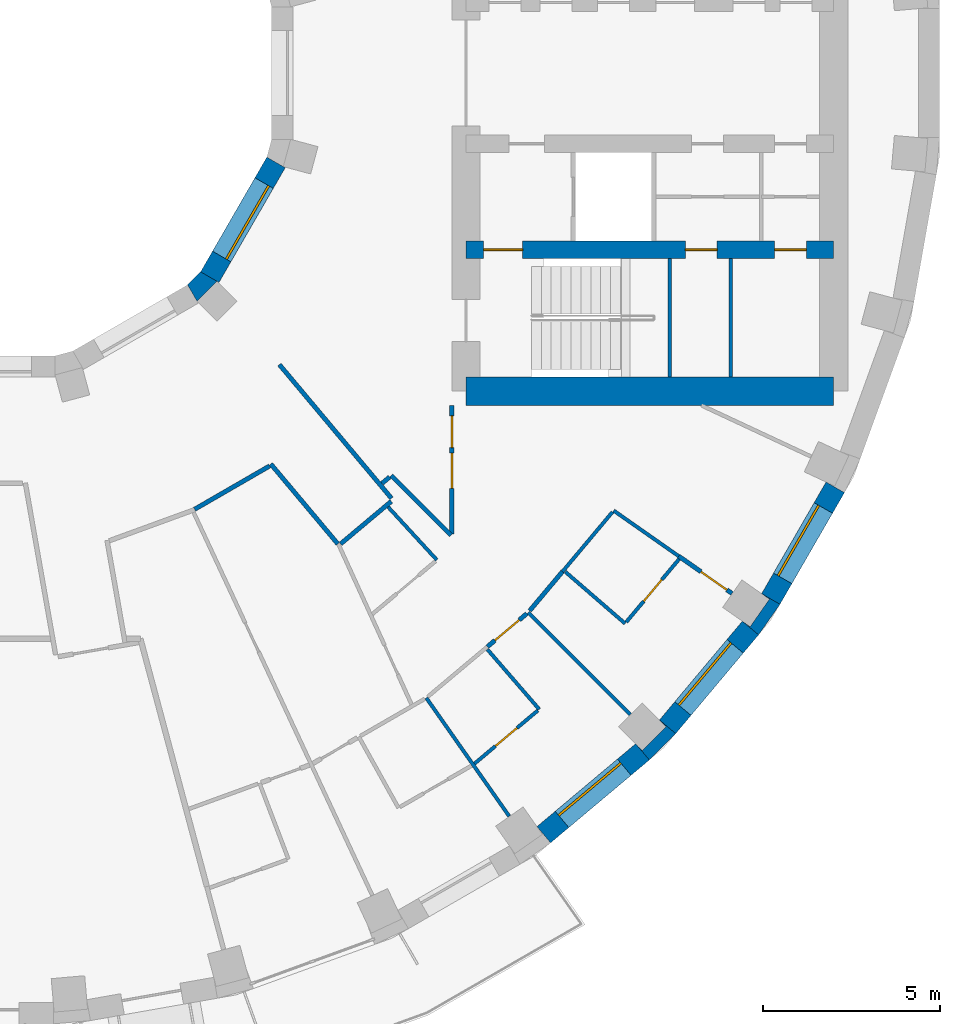
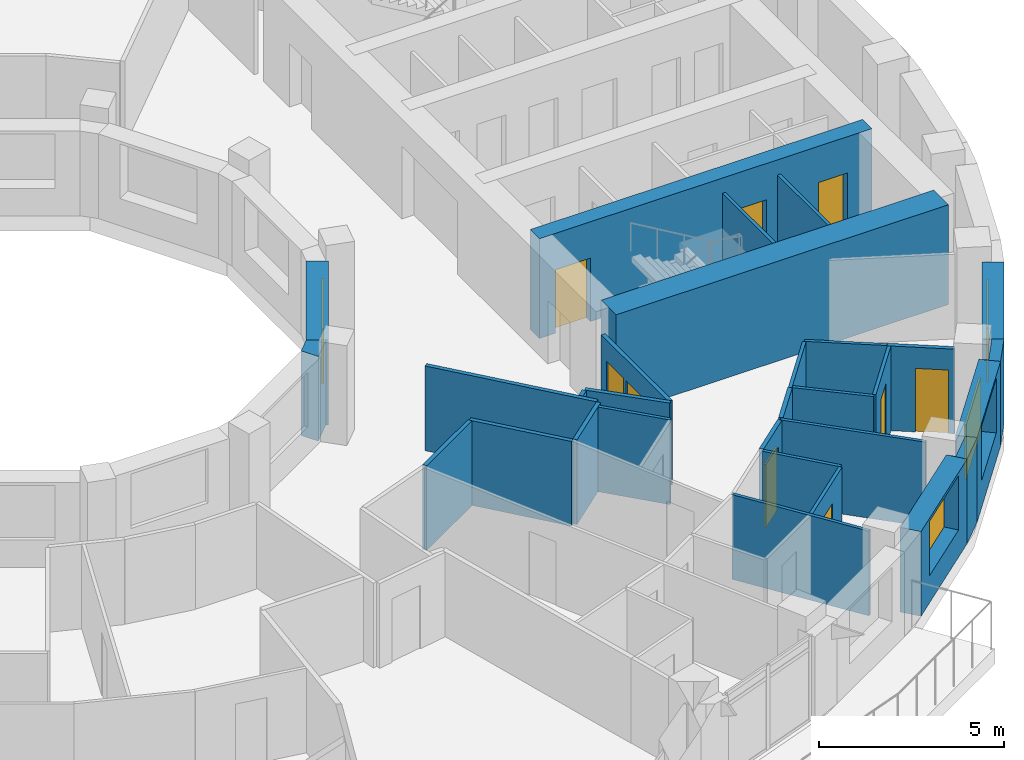
# One storey, part 9 of 16: 30 walls, 9 doors, 4 windows, 13 openings.
"""IFC4 building model written with IfcOpenShell, lengths in metres."""

from ifc_helpers import new_model, si_unit, direction, frame, frame_2d, origin, place, context, subcontext, project, spatial, polyline, rectangle, outline, extrude, material, layer, layer_set, type_object, element, fill, save


model = new_model("IFC4")

# Units and contexts
model_context = context("Model", 3, precision=1e-05, world=origin(), true_north=direction((0.0, 1.0)))
body_context = subcontext(model_context, "Body", "Model", "MODEL_VIEW")
ifc_project = project(units=[si_unit("LENGTHUNIT", "METRE"), si_unit("AREAUNIT", "SQUARE_METRE"), si_unit("VOLUMEUNIT", "CUBIC_METRE"), si_unit("PLANEANGLEUNIT", "RADIAN"), si_unit("MASSUNIT", "GRAM", prefix="KILO")], contexts=[model_context])

# Site, building, storey
site_placement = place(None, origin())
site = spatial("IfcSite", under=ifc_project, at=site_placement, CompositionType="ELEMENT")
building_placement = place(site_placement, origin())
building = spatial("IfcBuilding", under=site, at=building_placement, Name="Saqina Gate Tower", CompositionType="ELEMENT")
storey_placement = place(building_placement, frame((0.0, 0.0, 141.39990234375)))
storey = spatial("IfcBuildingStorey", under=building, at=storey_placement, Name="L40", CompositionType="ELEMENT", Elevation=141.39990234375)

# Walls
ifc_material_1 = material(Name="Brick masonry (buff)", Category="masonry")
wall_type_1 = type_object("IfcWallType", Name="BRICK PIER COPING BUFF", PredefinedType="SOLIDWALL", material=ifc_material_1)
wall_1_placement = place(storey_placement, origin())
element("IfcWall", 1, at=wall_1_placement, inside=storey, type_object=wall_type_1, Name="Pier cap L40 column 32", PredefinedType="SOLIDWALL", context=body_context, shape_type="SweptSolid", body=[
    extrude(outline(polyline([(18.686279296875, -19.43212890625), (19.43212890625, -18.686279296875), (18.972412109375, -18.30078125), (19.16259765625, -18.49072265625), (18.49072265625, -19.16259765625), (18.30078125, -18.972412109375), (18.686279296875, -19.43212890625)])), origin(), (0.0, 0.0, 1.0), 2.800048828125),
])
wall_2_placement = place(storey_placement, origin())
element("IfcWall", 2, at=wall_2_placement, inside=storey, type_object=wall_type_1, Name="Pier cap L40 column 33", PredefinedType="SOLIDWALL", context=body_context, shape_type="SweptSolid", body=[
    extrude(outline(polyline([(22.3818359375, -15.0283203125), (21.862060546875, -14.728271484375), (22.08251953125, -14.88232421875), (21.53759765625, -15.66064453125), (21.317138671875, -15.50634765625), (21.77685546875, -15.89208984375), (22.3818359375, -15.0283203125)])), origin(), (0.0, 0.0, 1.0), 2.800048828125),
])
ifc_material_2 = material(Name="Gypsum board on steel studs", Category="steel")
ifc_layer_1 = layer(ifc_material_2, 0.10009765625)
ifc_layer_set_1 = layer_set([ifc_layer_1], Name="CORE PARTITION")
wall_type_2 = type_object("IfcWallType", Name="CORE PARTITION", PredefinedType="PARTITIONING", material=ifc_layer_set_1)
wall_3_placement = place(storey_placement, frame((20.991943359375, -8.60009765625, 0.0), z_axis=(0.0, 0.0, 1.0), x_axis=(0.0, 1.0, 0.0)))
element("IfcWall", 3, at=wall_3_placement, inside=storey, type_object=wall_type_2, Name="L40-CP-E16", PredefinedType="PARTITIONING", context=body_context, shape_type="SweptSolid", body=[
    extrude(rectangle(XDim=3.35009765625, YDim=0.10009765625, at=frame_2d((1.675048828125, 0.0))), origin(), (0.0, 0.0, 1.0), 2.800048828125),
])

# Wall, opening, window
ifc_material_3 = material(Name="Brick masonry (buff)", Category="masonry")
ifc_layer_2 = layer(ifc_material_3, 0.60009765625)
ifc_layer_set_2 = layer_set([ifc_layer_2], Name="FW-BRICK-BUFF")
wall_type_3 = type_object("IfcWallType", Name="FW-BRICK-BUFF", PredefinedType="SOLIDWALL", material=ifc_layer_set_2)
wall_4_placement = place(storey_placement, frame((15.69921875, -21.547119140625, 0.0), z_axis=(0.0, 0.0, 1.0), x_axis=(0.766055462616, 0.642774476932, 0.0)))
wall_4 = element("IfcWall", 4, at=wall_4_placement, inside=storey, type_object=wall_type_3, Name="Facade wall L40 facet 31", PredefinedType="SOLIDWALL", context=body_context, shape_type="SweptSolid", body=[
    extrude(rectangle(XDim=3.647705078125, YDim=0.60009765625, at=frame_2d((1.82373046875, 0.0))), origin(), (0.0, 0.0, 1.0), 2.800048828125),
])
opening_1_placement = place(wall_4_placement, frame((0.673828125, 0.0, 0.89990234375)))
opening_1 = element("IfcOpeningElement", 5, at=opening_1_placement, cuts=wall_4, Name="Opening G12-W20", PredefinedType="OPENING", context=body_context, shape_type="SweptSolid", body=[
    extrude(rectangle(XDim=2.300048828125, YDim=1.800048828125, at=frame_2d((1.14990234375, 0.89990234375))), frame((0.0, 0.31201171875, 0.0), z_axis=(0.0, -1.0, 0.0), x_axis=(1.0, 0.0, 0.0)), (0.0, 0.0, 1.0), 0.6240234375),
])
ifc_material_4 = material(Name="Aluminium glazing", Category="aluminium")
window_type_1 = type_object("IfcWindowType", Name="WN-B", PartitioningType="SINGLE_PANEL", PredefinedType="WINDOW", material=ifc_material_4)
window_1_placement = place(opening_1_placement, origin())
window_1 = element("IfcWindow", 6, at=window_1_placement, inside=storey, type_object=window_type_1, Name="Window L40 facet 31", OverallHeight=1.800048828125, OverallWidth=2.300048828125, PartitioningType="SINGLE_PANEL", PredefinedType="WINDOW", context=body_context, shape_type="SweptSolid", body=[
    extrude(rectangle(XDim=2.300048828125, YDim=1.800048828125, at=frame_2d((1.14990234375, 0.89990234375))), frame((0.0, 0.179931640625, 0.0), z_axis=(0.0, -1.0, 0.0), x_axis=(1.0, 0.0, 0.0)), (0.0, 0.0, 1.0), 0.06005859375),
])
fill(opening_1, window_1)

wall_5_placement = place(storey_placement, frame((19.202392578125, -18.49365234375, 0.0), z_axis=(0.0, 0.0, 1.0), x_axis=(0.642774476932, 0.766055462616, 0.0)))
wall_5 = element("IfcWall", 7, at=wall_5_placement, inside=storey, type_object=wall_type_3, Name="Facade wall L40 facet 32", PredefinedType="SOLIDWALL", context=body_context, shape_type="SweptSolid", body=[
    extrude(rectangle(XDim=3.647705078125, YDim=0.60009765625, at=frame_2d((1.82373046875, 0.0))), origin(), (0.0, 0.0, 1.0), 2.800048828125),
])
opening_2_placement = place(wall_5_placement, frame((0.673828125, 0.0, 0.89990234375)))
opening_2 = element("IfcOpeningElement", 8, at=opening_2_placement, cuts=wall_5, Name="Opening G12-W21", PredefinedType="OPENING", context=body_context, shape_type="SweptSolid", body=[
    extrude(rectangle(XDim=2.300048828125, YDim=1.800048828125, at=frame_2d((1.14990234375, 0.89990234375))), frame((0.0, 0.31201171875, 0.0), z_axis=(0.0, -1.0, 0.0), x_axis=(1.0, 0.0, 0.0)), (0.0, 0.0, 1.0), 0.6240234375),
])
window_2_placement = place(opening_2_placement, origin())
window_2 = element("IfcWindow", 9, at=window_2_placement, inside=storey, type_object=window_type_1, Name="Window L40 facet 32", OverallHeight=1.800048828125, OverallWidth=2.300048828125, PartitioningType="SINGLE_PANEL", PredefinedType="WINDOW", context=body_context, shape_type="SweptSolid", body=[
    extrude(rectangle(XDim=2.300048828125, YDim=1.800048828125, at=frame_2d((1.14990234375, 0.89990234375))), frame((0.0, 0.179931640625, 0.0), z_axis=(0.0, -1.0, 0.0), x_axis=(1.0, 0.0, 0.0)), (0.0, 0.0, 1.0), 0.06005859375),
])
fill(opening_2, window_2)

wall_6_placement = place(storey_placement, frame((22.1220703125, -14.878173828125, 0.0), z_axis=(0.0, 0.0, 1.0), x_axis=(0.499954196102, 0.866051847062, 0.0)))
wall_6 = element("IfcWall", 10, at=wall_6_placement, inside=storey, type_object=wall_type_3, Name="Facade wall L40 facet 33", PredefinedType="SOLIDWALL", context=body_context, shape_type="SweptSolid", body=[
    extrude(rectangle(XDim=3.647705078125, YDim=0.60009765625, at=frame_2d((1.82373046875, 0.0))), origin(), (0.0, 0.0, 1.0), 2.800048828125),
])
opening_3_placement = place(wall_6_placement, frame((0.673828125, 0.0, 0.89990234375)))
opening_3 = element("IfcOpeningElement", 11, at=opening_3_placement, cuts=wall_6, Name="Opening G12-W22", PredefinedType="OPENING", context=body_context, shape_type="SweptSolid", body=[
    extrude(rectangle(XDim=2.300048828125, YDim=1.800048828125, at=frame_2d((1.14990234375, 0.89990234375))), frame((0.0, 0.31201171875, 0.0), z_axis=(0.0, -1.0, 0.0), x_axis=(1.0, 0.0, 0.0)), (0.0, 0.0, 1.0), 0.6240234375),
])
window_3_placement = place(opening_3_placement, origin())
window_3 = element("IfcWindow", 12, at=window_3_placement, inside=storey, type_object=window_type_1, Name="Window L40 facet 33", OverallHeight=1.800048828125, OverallWidth=2.300048828125, PartitioningType="SINGLE_PANEL", PredefinedType="WINDOW", context=body_context, shape_type="SweptSolid", body=[
    extrude(rectangle(XDim=2.300048828125, YDim=1.800048828125, at=frame_2d((1.14990234375, 0.89990234375))), frame((0.0, 0.179931640625, 0.0), z_axis=(0.0, -1.0, 0.0), x_axis=(1.0, 0.0, 0.0)), (0.0, 0.0, 1.0), 0.06005859375),
])
fill(opening_3, window_3)

ifc_material_5 = material(Name="Glazed ceramic tile", Category="ceramic")
ifc_layer_3 = layer(ifc_material_5, 0.60009765625)
ifc_layer_set_3 = layer_set([ifc_layer_3], Name="IW-TILE")
wall_type_4 = type_object("IfcWallType", Name="IW-TILE", PredefinedType="SOLIDWALL", material=ifc_layer_set_3)
wall_7_placement = place(storey_placement, frame((6.251220703125, -5.772705078125, 0.0), z_axis=(0.0, 0.0, 1.0), x_axis=(0.499964958637, 0.86604563398, 0.0)))
wall_7 = element("IfcWall", 13, at=wall_7_placement, inside=storey, type_object=wall_type_4, Name="Well wall L40 facet 11", PredefinedType="SOLIDWALL", context=body_context, shape_type="SweptSolid", body=[
    extrude(rectangle(XDim=3.747314453125, YDim=0.60009765625, at=frame_2d((1.87353515625, 0.0))), origin(), (0.0, 0.0, 1.0), 2.800048828125),
])
opening_4_placement = place(wall_7_placement, frame((0.673583984375, 0.0, 0.89990234375)))
opening_4 = element("IfcOpeningElement", 14, at=opening_4_placement, cuts=wall_7, Name="Opening G12-W33", PredefinedType="OPENING", context=body_context, shape_type="SweptSolid", body=[
    extrude(rectangle(XDim=2.39990234375, YDim=1.800048828125, at=frame_2d((1.199951171875, 0.89990234375))), frame((0.0, 0.31201171875, 0.0), z_axis=(0.0, -1.0, 0.0), x_axis=(1.0, 0.0, 0.0)), (0.0, 0.0, 1.0), 0.6240234375),
])
ifc_material_6 = material(Name="Aluminium glazing", Category="aluminium")
window_type_2 = type_object("IfcWindowType", Name="WN-W", PartitioningType="SINGLE_PANEL", PredefinedType="WINDOW", material=ifc_material_6)
window_4_placement = place(opening_4_placement, origin())
window_4 = element("IfcWindow", 15, at=window_4_placement, inside=storey, type_object=window_type_2, Name="Well window L40 facet 11", OverallHeight=1.800048828125, OverallWidth=2.39990234375, PartitioningType="SINGLE_PANEL", PredefinedType="WINDOW", context=body_context, shape_type="SweptSolid", body=[
    extrude(rectangle(XDim=2.39990234375, YDim=1.800048828125, at=frame_2d((1.199951171875, 0.89990234375))), frame((0.0, -0.119873046875, 0.0), z_axis=(0.0, -1.0, 0.0), x_axis=(1.0, 0.0, 0.0)), (0.0, 0.0, 1.0), 0.06005859375),
])
fill(opening_4, window_4)

# Walls
ifc_material_7 = material(Name="Gypsum board on steel studs, 100 mm", Category="steel")
ifc_layer_4 = layer(ifc_material_7, 0.10009765625)
ifc_layer_set_4 = layer_set([ifc_layer_4], Name="PARTITION 100")
wall_type_5 = type_object("IfcWallType", Name="PARTITION 100", PredefinedType="PARTITIONING", material=ifc_layer_set_4)
wall_8_placement = place(storey_placement, frame((12.376953125, -17.677001953125, 0.0), z_axis=(0.0, 0.0, 1.0), x_axis=(0.573843281236, -0.818965132702, 0.0)))
element("IfcWall", 16, at=wall_8_placement, inside=storey, type_object=wall_type_5, Name="PARTITION PW3-13", PredefinedType="PARTITIONING", context=body_context, shape_type="SweptSolid", body=[
    extrude(rectangle(XDim=4.085693359375, YDim=0.10009765625, at=frame_2d((2.04296875, 0.0))), origin(), (0.0, 0.0, 1.0), 2.800048828125),
])
wall_9_placement = place(storey_placement, frame((14.10693359375, -16.307373046875, 0.0), z_axis=(0.0, 0.0, 1.0), x_axis=(0.654423540777, -0.756128183099, 0.0)))
element("IfcWall", 17, at=wall_9_placement, inside=storey, type_object=wall_type_5, Name="PARTITION PW3-20", PredefinedType="PARTITIONING", context=body_context, shape_type="SweptSolid", body=[
    extrude(rectangle(XDim=2.2373046875, YDim=0.10009765625, at=frame_2d((1.11865234375, 0.0))), origin(), (0.0, 0.0, 1.0), 2.800048828125),
])
wall_10_placement = place(storey_placement, frame((11.29541015625, -12.27392578125, 0.0), z_axis=(0.0, 0.0, 1.0), x_axis=(0.676981317167, -0.736000201228, 0.0)))
element("IfcWall", 18, at=wall_10_placement, inside=storey, type_object=wall_type_5, Name="PARTITION PW3-22", PredefinedType="PARTITIONING", context=body_context, shape_type="SweptSolid", body=[
    extrude(rectangle(XDim=2.039306640625, YDim=0.10009765625, at=frame_2d((1.01953125, 0.0))), origin(), (0.0, 0.0, 1.0), 2.800048828125),
])
wall_11_placement = place(storey_placement, frame((15.259033203125, -15.259033203125, 0.0), z_axis=(0.0, 0.0, 1.0), x_axis=(0.707106781187, -0.707106781187, 0.0)))
element("IfcWall", 19, at=wall_11_placement, inside=storey, type_object=wall_type_5, Name="PARTITION PW3-24", PredefinedType="PARTITIONING", context=body_context, shape_type="SweptSolid", body=[
    extrude(rectangle(XDim=4.08544921875, YDim=0.10009765625, at=frame_2d((2.042724609375, 0.0))), origin(), (0.0, 0.0, 1.0), 2.800048828125),
])
wall_12_placement = place(storey_placement, frame((16.307373046875, -14.10693359375, 0.0), z_axis=(0.0, 0.0, 1.0), x_axis=(0.756128183099, -0.654423540777, 0.0)))
element("IfcWall", 20, at=wall_12_placement, inside=storey, type_object=wall_type_5, Name="PARTITION PW3-25", PredefinedType="PARTITIONING", context=body_context, shape_type="SweptSolid", body=[
    extrude(rectangle(XDim=2.2373046875, YDim=0.10009765625, at=frame_2d((1.11865234375, 0.0))), origin(), (0.0, 0.0, 1.0), 2.800048828125),
])
wall_13_placement = place(storey_placement, frame((17.677001953125, -12.377197265625, 0.0), z_axis=(0.0, 0.0, 1.0), x_axis=(0.81912468453, -0.573615508153, 0.0)))
element("IfcWall", 21, at=wall_13_placement, inside=storey, type_object=wall_type_5, Name="PARTITION PW3-34", PredefinedType="PARTITIONING", context=body_context, shape_type="SweptSolid", body=[
    extrude(rectangle(XDim=2.246337890625, YDim=0.10009765625, at=frame_2d((1.123046875, 0.0))), origin(), (0.0, 0.0, 1.0), 2.800048828125),
])

# Wall, opening, door
wall_14_placement = place(storey_placement, frame((13.740234375, -19.535888671875, 0.0), z_axis=(0.0, 0.0, 1.0), x_axis=(0.765924716163, 0.642930267735, 0.0)))
wall_14 = element("IfcWall", 22, at=wall_14_placement, inside=storey, type_object=wall_type_5, Name="PARTITION PW3-80", PredefinedType="PARTITIONING", context=body_context, shape_type="SweptSolid", body=[
    extrude(rectangle(XDim=2.34033203125, YDim=0.10009765625, at=frame_2d((1.170166015625, 0.0))), origin(), (0.0, 0.0, 1.0), 2.800048828125),
])
opening_5_placement = place(wall_14_placement, frame((0.77001953125, 0.0, 0.0)))
opening_5 = element("IfcOpeningElement", 23, at=opening_5_placement, cuts=wall_14, Name="Opening G12-D55", PredefinedType="OPENING", context=body_context, shape_type="SweptSolid", body=[
    extrude(rectangle(XDim=0.800048828125, YDim=2.10009765625, at=frame_2d((0.39990234375, 1.050048828125))), frame((0.0, 0.06201171875, 0.0), z_axis=(0.0, -1.0, 0.0), x_axis=(1.0, 0.0, 0.0)), (0.0, 0.0, 1.0), 0.1240234375),
])
ifc_material_8 = material(Name="Timber door leaf, 800 mm", Category="wood")
door_type_1 = type_object("IfcDoorType", Name="DOOR 800 TIMBER", OperationType="SINGLE_SWING_LEFT", PredefinedType="DOOR", material=ifc_material_8)
door_1_placement = place(opening_5_placement, frame((0.800048828125, 0.0, 0.0), z_axis=(0.0, 0.0, 1.0), x_axis=(-1.0, 0.0, 0.0)))
door_1 = element("IfcDoor", 24, at=door_1_placement, inside=storey, type_object=door_type_1, Name="DOOR G12-D55", OperationType="SINGLE_SWING_RIGHT", OverallHeight=2.10009765625, OverallWidth=0.800048828125, PredefinedType="DOOR", context=body_context, shape_type="SweptSolid", body=[
    extrude(rectangle(XDim=0.800048828125, YDim=2.10009765625, at=frame_2d((0.39990234375, 1.050048828125))), frame((0.0, 0.02490234375, 0.0), z_axis=(0.0, -1.0, 0.0), x_axis=(1.0, 0.0, 0.0)), (0.0, 0.0, 1.0), 0.050048828125),
])
fill(opening_5, door_1)

wall_15_placement = place(storey_placement, frame((18.03125, -15.53271484375, 0.0), z_axis=(0.0, 0.0, 1.0), x_axis=(0.64291410234, 0.765938285381, 0.0)))
wall_15 = element("IfcWall", 25, at=wall_15_placement, inside=storey, type_object=wall_type_5, Name="PARTITION PW3-90", PredefinedType="PARTITIONING", context=body_context, shape_type="SweptSolid", body=[
    extrude(rectangle(XDim=2.327880859375, YDim=0.10009765625, at=frame_2d((1.1640625, 0.0))), origin(), (0.0, 0.0, 1.0), 2.800048828125),
])
opening_6_placement = place(wall_15_placement, frame((0.77001953125, 0.0, 0.0)))
opening_6 = element("IfcOpeningElement", 26, at=opening_6_placement, cuts=wall_15, Name="Opening G12-D59", PredefinedType="OPENING", context=body_context, shape_type="SweptSolid", body=[
    extrude(rectangle(XDim=0.800048828125, YDim=2.10009765625, at=frame_2d((0.39990234375, 1.050048828125))), frame((0.0, 0.06201171875, 0.0), z_axis=(0.0, -1.0, 0.0), x_axis=(1.0, 0.0, 0.0)), (0.0, 0.0, 1.0), 0.1240234375),
])
door_2_placement = place(opening_6_placement, frame((0.800048828125, 0.0, 0.0), z_axis=(0.0, 0.0, 1.0), x_axis=(-1.0, 0.0, 0.0)))
door_2 = element("IfcDoor", 27, at=door_2_placement, inside=storey, type_object=door_type_1, Name="DOOR G12-D59", OperationType="SINGLE_SWING_LEFT", OverallHeight=2.10009765625, OverallWidth=0.800048828125, PredefinedType="DOOR", context=body_context, shape_type="SweptSolid", body=[
    extrude(rectangle(XDim=0.800048828125, YDim=2.10009765625, at=frame_2d((0.39990234375, 1.050048828125))), frame((0.0, 0.02490234375, 0.0), z_axis=(0.0, -1.0, 0.0), x_axis=(1.0, 0.0, 0.0)), (0.0, 0.0, 1.0), 0.050048828125),
])
fill(opening_6, door_2)

# Walls
wall_16_placement = place(storey_placement, frame((16.22802734375, -14.1044921875, 0.0), z_axis=(0.0, 0.0, 1.0), x_axis=(0.642710935311, 0.766108774021, 0.0)))
element("IfcWall", 28, at=wall_16_placement, inside=storey, type_object=wall_type_5, Name="PARTITION PW3-91", PredefinedType="PARTITIONING", context=body_context, shape_type="SweptSolid", body=[
    extrude(rectangle(XDim=2.2021484375, YDim=0.10009765625, at=frame_2d((1.10107421875, 0.0))), origin(), (0.0, 0.0, 1.0), 2.800048828125),
])
ifc_material_9 = material(Name="Gypsum board on steel studs, 125 mm, fire rated", Category="steel")
ifc_layer_5 = layer(ifc_material_9, 0.125)
ifc_layer_set_5 = layer_set([ifc_layer_5], Name="PARTITION EI 30 125")
wall_type_6 = type_object("IfcWallType", Name="PARTITION EI 30 125", PredefinedType="PARTITIONING", material=ifc_layer_set_5)
wall_17_placement = place(storey_placement, frame((7.97705078125, -11.05908203125, 0.0), z_axis=(0.0, 0.0, 1.0), x_axis=(0.642679638204, -0.766135028985, 0.0)))
element("IfcWall", 29, at=wall_17_placement, inside=storey, type_object=wall_type_6, Name="PARTITION PW1-06", PredefinedType="PARTITIONING", context=body_context, shape_type="SweptSolid", body=[
    extrude(rectangle(XDim=2.950439453125, YDim=0.125, at=frame_2d((1.47509765625, 0.0))), origin(), (0.0, 0.0, 1.0), 2.800048828125),
])
wall_18_placement = place(storey_placement, frame((8.2197265625, -8.246826171875, 0.0), z_axis=(0.0, 0.0, 1.0), x_axis=(0.642555132876, -0.766239454228, 0.0)))
element("IfcWall", 30, at=wall_18_placement, inside=storey, type_object=wall_type_6, Name="PARTITION PW1-08", PredefinedType="PARTITIONING", context=body_context, shape_type="SweptSolid", body=[
    extrude(rectangle(XDim=4.936767578125, YDim=0.125, at=frame_2d((2.46826171875, 0.0))), origin(), (0.0, 0.0, 1.0), 2.800048828125),
])
wall_19_placement = place(storey_placement, frame((11.387939453125, -11.385009765625, 0.0), z_axis=(0.0, 0.0, 1.0), x_axis=(0.707157874563, -0.707055684118, 0.0)))
element("IfcWall", 31, at=wall_19_placement, inside=storey, type_object=wall_type_6, Name="PARTITION PW1-10", PredefinedType="PARTITIONING", context=body_context, shape_type="SweptSolid", body=[
    extrude(rectangle(XDim=2.38916015625, YDim=0.125, at=frame_2d((1.194580078125, 0.0))), origin(), (0.0, 0.0, 1.0), 2.800048828125),
])

# Wall, opening, door
wall_20_placement = place(storey_placement, frame((19.516845703125, -13.666259765625, 0.0), z_axis=(0.0, 0.0, 1.0), x_axis=(0.819319221636, -0.573337608271, 0.0)))
wall_20 = element("IfcWall", 32, at=wall_20_placement, inside=storey, type_object=wall_type_6, Name="PARTITION PW1-15", PredefinedType="PARTITIONING", context=body_context, shape_type="SweptSolid", body=[
    extrude(rectangle(XDim=1.839111328125, YDim=0.125, at=frame_2d((0.91943359375, 0.0))), origin(), (0.0, 0.0, 1.0), 2.800048828125),
])
opening_7_placement = place(wall_20_placement, frame((0.767333984375, 0.0, 0.0)))
opening_7 = element("IfcOpeningElement", 33, at=opening_7_placement, cuts=wall_20, Name="Opening G12-D61", PredefinedType="OPENING", context=body_context, shape_type="SweptSolid", body=[
    extrude(rectangle(XDim=0.89990234375, YDim=2.10009765625, at=frame_2d((0.449951171875, 1.050048828125))), frame((0.0, 0.074462890625, 0.0), z_axis=(0.0, -1.0, 0.0), x_axis=(1.0, 0.0, 0.0)), (0.0, 0.0, 1.0), 0.14892578125),
])
ifc_material_10 = material(Name="Fire door leaf EI 30, 900 mm")
door_type_2 = type_object("IfcDoorType", Name="DOOR 900 EI 30", OperationType="SINGLE_SWING_LEFT", PredefinedType="DOOR", material=ifc_material_10)
door_3_placement = place(opening_7_placement, origin())
door_3 = element("IfcDoor", 34, at=door_3_placement, inside=storey, type_object=door_type_2, Name="DOOR G12-D61", OperationType="SINGLE_SWING_RIGHT", OverallHeight=2.10009765625, OverallWidth=0.89990234375, PredefinedType="DOOR", context=body_context, shape_type="SweptSolid", body=[
    extrude(rectangle(XDim=0.89990234375, YDim=2.10009765625, at=frame_2d((0.449951171875, 1.050048828125))), frame((0.0, 0.02490234375, 0.0), z_axis=(0.0, -1.0, 0.0), x_axis=(1.0, 0.0, 0.0)), (0.0, 0.0, 1.0), 0.050048828125),
])
fill(opening_7, door_3)

# Walls
wall_21_placement = place(storey_placement, frame((5.822021484375, -12.33984375, 0.0), z_axis=(0.0, 0.0, 1.0), x_axis=(0.865951440693, 0.500128085955, 0.0)))
element("IfcWall", 35, at=wall_21_placement, inside=storey, type_object=wall_type_6, Name="PARTITION PW1-39", PredefinedType="PARTITIONING", context=body_context, shape_type="SweptSolid", body=[
    extrude(rectangle(XDim=2.448486328125, YDim=0.125, at=frame_2d((1.22412109375, 0.0))), origin(), (0.0, 0.0, 1.0), 2.800048828125),
])
wall_22_placement = place(storey_placement, frame((11.125, -11.606201171875, 0.0), z_axis=(0.0, 0.0, 1.0), x_axis=(0.766857755144, 0.641817094955, 0.0)))
element("IfcWall", 36, at=wall_22_placement, inside=storey, type_object=wall_type_6, Name="PARTITION PW1-43", PredefinedType="PARTITIONING", context=body_context, shape_type="SweptSolid", body=[
    extrude(rectangle(XDim=0.279296875, YDim=0.125, at=frame_2d((0.1396484375, 0.0))), origin(), (0.0, 0.0, 1.0), 2.800048828125),
])

# Wall, opening, door
wall_23_placement = place(storey_placement, frame((14.104248046875, -16.227783203125, 0.0), z_axis=(0.0, 0.0, 1.0), x_axis=(0.766114305984, 0.642704341177, 0.0)))
wall_23 = element("IfcWall", 37, at=wall_23_placement, inside=storey, type_object=wall_type_6, Name="PARTITION PW1-44", PredefinedType="PARTITIONING", context=body_context, shape_type="SweptSolid", body=[
    extrude(rectangle(XDim=1.4560546875, YDim=0.125, at=frame_2d((0.72802734375, 0.0))), origin(), (0.0, 0.0, 1.0), 2.800048828125),
])
opening_8_placement = place(wall_23_placement, frame((0.278076171875, 0.0, 0.0)))
opening_8 = element("IfcOpeningElement", 38, at=opening_8_placement, cuts=wall_23, Name="Opening G12-D57", PredefinedType="OPENING", context=body_context, shape_type="SweptSolid", body=[
    extrude(rectangle(XDim=0.89990234375, YDim=2.10009765625, at=frame_2d((0.449951171875, 1.050048828125))), frame((0.0, 0.074462890625, 0.0), z_axis=(0.0, -1.0, 0.0), x_axis=(1.0, 0.0, 0.0)), (0.0, 0.0, 1.0), 0.14892578125),
])
door_4_placement = place(opening_8_placement, origin())
door_4 = element("IfcDoor", 39, at=door_4_placement, inside=storey, type_object=door_type_2, Name="DOOR G12-D57", OperationType="SINGLE_SWING_RIGHT", OverallHeight=2.10009765625, OverallWidth=0.89990234375, PredefinedType="DOOR", context=body_context, shape_type="SweptSolid", body=[
    extrude(rectangle(XDim=0.89990234375, YDim=2.10009765625, at=frame_2d((0.449951171875, 1.050048828125))), frame((0.0, 0.02490234375, 0.0), z_axis=(0.0, -1.0, 0.0), x_axis=(1.0, 0.0, 0.0)), (0.0, 0.0, 1.0), 0.050048828125),
])
fill(opening_8, door_4)

# Walls
wall_24_placement = place(storey_placement, frame((9.95361328125, -13.3173828125, 0.0), z_axis=(0.0, 0.0, 1.0), x_axis=(0.766162509907, 0.642646876919, 0.0)))
element("IfcWall", 40, at=wall_24_placement, inside=storey, type_object=wall_type_6, Name="PARTITION PW1-45", PredefinedType="PARTITIONING", context=body_context, shape_type="SweptSolid", body=[
    extrude(rectangle(XDim=1.869873046875, YDim=0.125, at=frame_2d((0.93505859375, 0.0))), origin(), (0.0, 0.0, 1.0), 2.800048828125),
])
wall_25_placement = place(storey_placement, frame((15.300048828125, -15.210205078125, 0.0), z_axis=(0.0, 0.0, 1.0), x_axis=(0.642676314535, 0.766137817064, 0.0)))
element("IfcWall", 41, at=wall_25_placement, inside=storey, type_object=wall_type_6, Name="PARTITION PW1-51", PredefinedType="PARTITIONING", context=body_context, shape_type="SweptSolid", body=[
    extrude(rectangle(XDim=1.443603515625, YDim=0.125, at=frame_2d((0.7216796875, 0.0))), origin(), (0.0, 0.0, 1.0), 2.800048828125),
])

# Wall, openings, doors
wall_26_placement = place(storey_placement, frame((13.10009765625, -13.032470703125, 0.0), z_axis=(0.0, 0.0, 1.0), x_axis=(0.0, 1.0, 0.0)))
wall_26 = element("IfcWall", 42, at=wall_26_placement, inside=storey, type_object=wall_type_6, Name="PARTITION PW1-59", PredefinedType="PARTITIONING", context=body_context, shape_type="SweptSolid", body=[
    extrude(rectangle(XDim=3.631591796875, YDim=0.125, at=frame_2d((1.81591796875, 0.0))), origin(), (0.0, 0.0, 1.0), 2.800048828125),
])
opening_9_placement = place(wall_26_placement, frame((1.284423828125, 0.0, 0.0)))
opening_9 = element("IfcOpeningElement", 43, at=opening_9_placement, cuts=wall_26, Name="Opening G12-D58", PredefinedType="OPENING", context=body_context, shape_type="SweptSolid", body=[
    extrude(rectangle(XDim=1.0, YDim=2.10009765625, at=frame_2d((0.5, 1.050048828125))), frame((0.0, 0.074462890625, 0.0), z_axis=(0.0, -1.0, 0.0), x_axis=(1.0, 0.0, 0.0)), (0.0, 0.0, 1.0), 0.14892578125),
])
opening_10_placement = place(wall_26_placement, frame((2.4345703125, 0.0, 0.0)))
opening_10 = element("IfcOpeningElement", 44, at=opening_10_placement, cuts=wall_26, Name="Opening G12-D60", PredefinedType="OPENING", context=body_context, shape_type="SweptSolid", body=[
    extrude(rectangle(XDim=0.89990234375, YDim=2.10009765625, at=frame_2d((0.449951171875, 1.050048828125))), frame((0.0, 0.074462890625, 0.0), z_axis=(0.0, -1.0, 0.0), x_axis=(1.0, 0.0, 0.0)), (0.0, 0.0, 1.0), 0.14892578125),
])
ifc_material_11 = material(Name="Fire door leaf EI 30, 1000 mm")
door_type_3 = type_object("IfcDoorType", Name="DOOR 1000 EI 30", OperationType="SINGLE_SWING_LEFT", PredefinedType="DOOR", material=ifc_material_11)
door_5_placement = place(opening_9_placement, frame((1.0, 0.0, 0.0), z_axis=(0.0, 0.0, 1.0), x_axis=(-1.0, 0.0, 0.0)))
door_5 = element("IfcDoor", 45, at=door_5_placement, inside=storey, type_object=door_type_3, Name="DOOR G12-D58", OperationType="SINGLE_SWING_RIGHT", OverallHeight=2.10009765625, OverallWidth=1.0, PredefinedType="DOOR", context=body_context, shape_type="SweptSolid", body=[
    extrude(rectangle(XDim=1.0, YDim=2.10009765625, at=frame_2d((0.5, 1.050048828125))), frame((0.0, 0.02490234375, 0.0), z_axis=(0.0, -1.0, 0.0), x_axis=(1.0, 0.0, 0.0)), (0.0, 0.0, 1.0), 0.050048828125),
])
fill(opening_9, door_5)
door_6_placement = place(opening_10_placement, frame((0.89990234375, 0.0, 0.0), z_axis=(0.0, 0.0, 1.0), x_axis=(-1.0, 0.0, 0.0)))
door_6 = element("IfcDoor", 46, at=door_6_placement, inside=storey, type_object=door_type_2, Name="DOOR G12-D60", OperationType="SINGLE_SWING_LEFT", OverallHeight=2.10009765625, OverallWidth=0.89990234375, PredefinedType="DOOR", context=body_context, shape_type="SweptSolid", body=[
    extrude(rectangle(XDim=0.89990234375, YDim=2.10009765625, at=frame_2d((0.449951171875, 1.050048828125))), frame((0.0, 0.02490234375, 0.0), z_axis=(0.0, -1.0, 0.0), x_axis=(1.0, 0.0, 0.0)), (0.0, 0.0, 1.0), 0.050048828125),
])
fill(opening_10, door_6)

# Wall
ifc_material_12 = material(Name="Autoclaved aerated concrete block", Category="concrete")
ifc_layer_6 = layer(ifc_material_12, 0.10009765625)
ifc_layer_set_6 = layer_set([ifc_layer_6], Name="STAIR ENCLOSURE WALL")
wall_type_7 = type_object("IfcWallType", Name="STAIR ENCLOSURE WALL", PredefinedType="PARTITIONING", material=ifc_layer_set_6)
wall_27_placement = place(storey_placement, frame((19.27001953125, -8.60009765625, 0.0), z_axis=(0.0, 0.0, 1.0), x_axis=(0.0, 1.0, 0.0)))
element("IfcWall", 47, at=wall_27_placement, inside=storey, type_object=wall_type_7, Name="L40-CP-E15", PredefinedType="PARTITIONING", context=body_context, shape_type="SweptSolid", body=[
    extrude(rectangle(XDim=3.35009765625, YDim=0.10009765625, at=frame_2d((1.675048828125, 0.0))), origin(), (0.0, 0.0, 1.0), 2.800048828125),
])

# Wall, openings, doors
ifc_material_13 = material(Name="Concrete C70/85", Category="concrete")
ifc_layer_7 = layer(ifc_material_13, 0.5)
ifc_layer_set_7 = layer_set([ifc_layer_7], Name="Concrete C70/85")
wall_type_8 = type_object("IfcWallType", Name="STR-CORE WALL-B-I", PredefinedType="SHEAR", material=ifc_layer_set_7)
wall_28_placement = place(storey_placement, frame((13.5, -5.0, 0.0), z_axis=(0.0, 0.0, 1.0), x_axis=(1.0, 0.0, 0.0)))
wall_28 = element("IfcWall", 48, at=wall_28_placement, inside=storey, type_object=wall_type_8, Name="CORE WALL L40 E-X2", PredefinedType="SHEAR", context=body_context, shape_type="SweptSolid", body=[
    extrude(rectangle(XDim=10.39990234375, YDim=0.5, at=frame_2d((5.199951171875, 0.0))), origin(), (0.0, 0.0, 1.0), 3.300048828125),
])
opening_11_placement = place(wall_28_placement, frame((6.2060546875, 0.0, 0.0)))
opening_11 = element("IfcOpeningElement", 49, at=opening_11_placement, cuts=wall_28, Name="Opening G12-D104", PredefinedType="OPENING", context=body_context, shape_type="SweptSolid", body=[
    extrude(rectangle(XDim=0.89990234375, YDim=2.10009765625, at=frame_2d((0.449951171875, 1.050048828125))), frame((0.0, 0.261962890625, 0.0), z_axis=(0.0, -1.0, 0.0), x_axis=(1.0, 0.0, 0.0)), (0.0, 0.0, 1.0), 0.52392578125),
])
opening_12_placement = place(wall_28_placement, frame((8.729248046875, 0.0, 0.0)))
opening_12 = element("IfcOpeningElement", 50, at=opening_12_placement, cuts=wall_28, Name="Opening G12-D105", PredefinedType="OPENING", context=body_context, shape_type="SweptSolid", body=[
    extrude(rectangle(XDim=0.89990234375, YDim=2.10009765625, at=frame_2d((0.449951171875, 1.050048828125))), frame((0.0, 0.261962890625, 0.0), z_axis=(0.0, -1.0, 0.0), x_axis=(1.0, 0.0, 0.0)), (0.0, 0.0, 1.0), 0.52392578125),
])
opening_13_placement = place(wall_28_placement, frame((0.5, 0.0, 0.0)))
opening_13 = element("IfcOpeningElement", 51, at=opening_13_placement, cuts=wall_28, Name="Opening G12-D106", PredefinedType="OPENING", context=body_context, shape_type="SweptSolid", body=[
    extrude(rectangle(XDim=1.10009765625, YDim=2.10009765625, at=frame_2d((0.550048828125, 1.050048828125))), frame((0.0, 0.261962890625, 0.0), z_axis=(0.0, -1.0, 0.0), x_axis=(1.0, 0.0, 0.0)), (0.0, 0.0, 1.0), 0.52392578125),
])
ifc_material_14 = material(Name="Steel", Category="steel")
door_type_4 = type_object("IfcDoorType", Name="FIRE LOBBY DOOR EI 60 WIDE", OperationType="SINGLE_SWING_LEFT", PredefinedType="DOOR", material=ifc_material_14)
door_7_placement = place(opening_13_placement, frame((1.10009765625, 0.0, 0.0), z_axis=(0.0, 0.0, 1.0), x_axis=(-1.0, 0.0, 0.0)))
door_7 = element("IfcDoor", 52, at=door_7_placement, inside=storey, type_object=door_type_4, Name="L40-CD-E17", OperationType="SINGLE_SWING_RIGHT", OverallHeight=2.10009765625, OverallWidth=1.10009765625, PredefinedType="DOOR", context=body_context, shape_type="SweptSolid", body=[
    extrude(rectangle(XDim=1.10009765625, YDim=2.10009765625, at=frame_2d((0.550048828125, 1.050048828125))), frame((0.0, 0.02490234375, 0.0), z_axis=(0.0, -1.0, 0.0), x_axis=(1.0, 0.0, 0.0)), (0.0, 0.0, 1.0), 0.050048828125),
])
fill(opening_13, door_7)
ifc_material_15 = material(Name="Steel-framed fire door leaf, EI 60", Category="steel")
door_type_5 = type_object("IfcDoorType", Name="SERVICE ROOM DOOR 900", OperationType="SINGLE_SWING_LEFT", PredefinedType="DOOR", material=ifc_material_15)
door_8_placement = place(opening_11_placement, frame((0.89990234375, 0.0, 0.0), z_axis=(0.0, 0.0, 1.0), x_axis=(-1.0, 0.0, 0.0)))
door_8 = element("IfcDoor", 53, at=door_8_placement, inside=storey, type_object=door_type_5, Name="L40-CD-E15", OperationType="SINGLE_SWING_LEFT", OverallHeight=2.10009765625, OverallWidth=0.89990234375, PredefinedType="DOOR", context=body_context, shape_type="SweptSolid", body=[
    extrude(rectangle(XDim=0.89990234375, YDim=2.10009765625, at=frame_2d((0.449951171875, 1.050048828125))), frame((0.0, 0.02490234375, 0.0), z_axis=(0.0, -1.0, 0.0), x_axis=(1.0, 0.0, 0.0)), (0.0, 0.0, 1.0), 0.050048828125),
])
fill(opening_11, door_8)
door_9_placement = place(opening_12_placement, frame((0.89990234375, 0.0, 0.0), z_axis=(0.0, 0.0, 1.0), x_axis=(-1.0, 0.0, 0.0)))
door_9 = element("IfcDoor", 54, at=door_9_placement, inside=storey, type_object=door_type_5, Name="L40-CD-E16", OperationType="SINGLE_SWING_LEFT", OverallHeight=2.10009765625, OverallWidth=0.89990234375, PredefinedType="DOOR", context=body_context, shape_type="SweptSolid", body=[
    extrude(rectangle(XDim=0.89990234375, YDim=2.10009765625, at=frame_2d((0.449951171875, 1.050048828125))), frame((0.0, 0.02490234375, 0.0), z_axis=(0.0, -1.0, 0.0), x_axis=(1.0, 0.0, 0.0)), (0.0, 0.0, 1.0), 0.050048828125),
])
fill(opening_12, door_9)

# Walls
ifc_material_16 = material(Name="Concrete C70/85", Category="concrete")
ifc_layer_8 = layer(ifc_material_16, 0.800048828125)
ifc_layer_set_8 = layer_set([ifc_layer_8], Name="Concrete C70/85")
wall_type_9 = type_object("IfcWallType", Name="STR-CORE WALL-B-O", PredefinedType="SHEAR", material=ifc_layer_set_8)
wall_29_placement = place(storey_placement, frame((13.5, -9.0, 0.0), z_axis=(0.0, 0.0, 1.0), x_axis=(1.0, 0.0, 0.0)))
element("IfcWall", 55, at=wall_29_placement, inside=storey, type_object=wall_type_9, Name="CORE WALL L40 E-SE", PredefinedType="SHEAR", context=body_context, shape_type="SweptSolid", body=[
    extrude(rectangle(XDim=10.39990234375, YDim=0.800048828125, at=frame_2d((5.199951171875, 0.0))), origin(), (0.0, 0.0, 1.0), 3.300048828125),
])
ifc_material_17 = material(Name="Glazed ceramic tile", Category="ceramic")
wall_type_10 = type_object("IfcWallType", Name="TILE PIER COPING", PredefinedType="SOLIDWALL", material=ifc_material_17)
wall_30_placement = place(storey_placement, origin())
element("IfcWall", 56, at=wall_30_placement, inside=storey, type_object=wall_type_10, Name="Well pier cap L40 column 11", PredefinedType="SOLIDWALL", context=body_context, shape_type="SweptSolid", body=[
    extrude(outline(polyline([(5.891845703125, -6.45751953125), (6.45751953125, -5.891845703125), (5.991455078125, -5.622802734375), (5.622802734375, -5.991455078125), (5.891845703125, -6.45751953125)])), origin(), (0.0, 0.0, 1.0), 2.800048828125),
])

save(model, "model.ifc")
